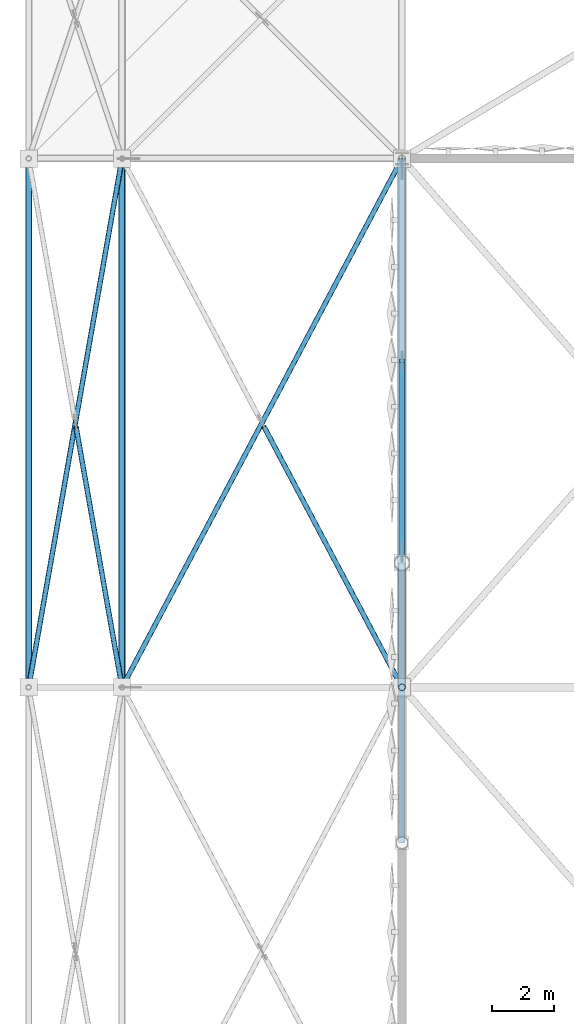
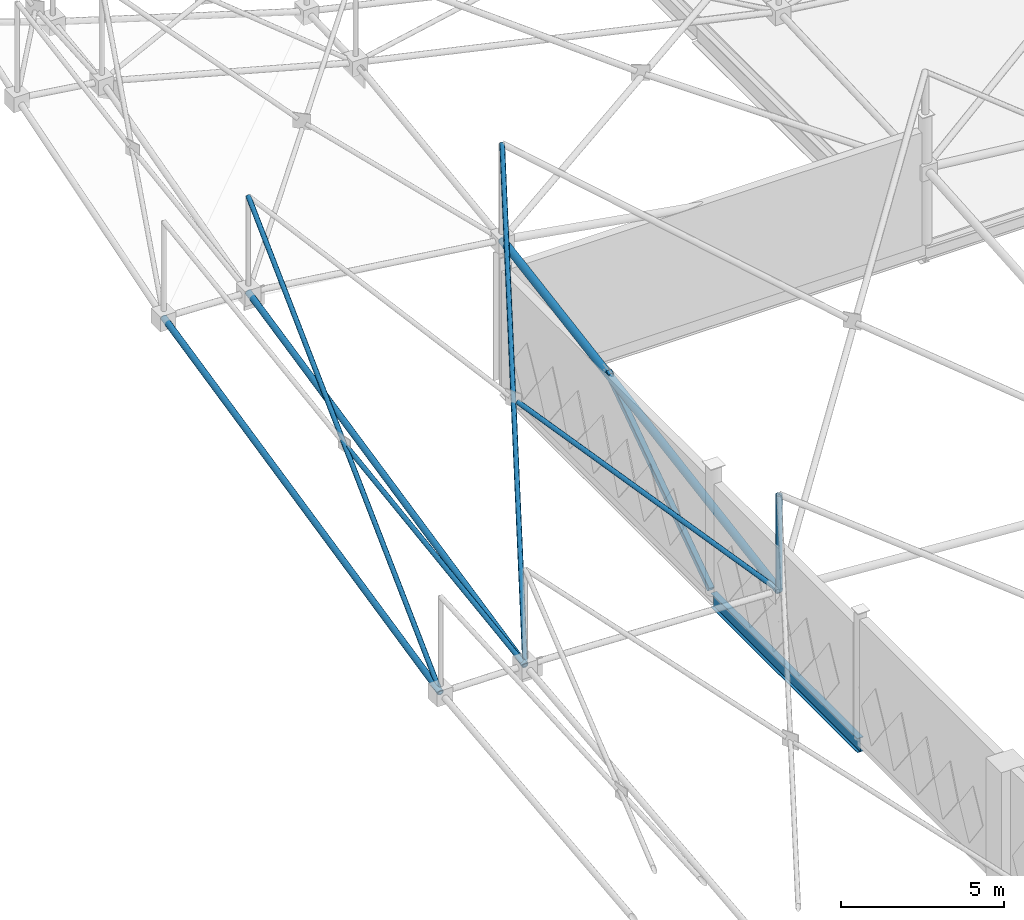
# One storey, part 72 of 224: 9 members, 1 beam.
"""IFC4 building model written with IfcOpenShell, lengths in metres."""

from ifc_helpers import new_model, si_unit, direction, frame, origin, origin_2d, place, context, subcontext, project, spatial, hollow_rectangle, hollow_circle, i_section, extrude, material, material_profile, profile_set, type_object, element, save


model = new_model("IFC4")

# Units and contexts
model_context = context("Model", 3, precision=1e-05, world=origin(), true_north=direction((0.0, 1.0)))
body_context = subcontext(model_context, "Body", "Model", "MODEL_VIEW")
ifc_project = project(units=[si_unit("LENGTHUNIT", "METRE"), si_unit("AREAUNIT", "SQUARE_METRE"), si_unit("VOLUMEUNIT", "CUBIC_METRE"), si_unit("PLANEANGLEUNIT", "RADIAN"), si_unit("MASSUNIT", "GRAM", prefix="KILO")], contexts=[model_context])

# Site, building, storey
site_placement = place(None, origin())
site = spatial("IfcSite", under=ifc_project, at=site_placement, CompositionType="ELEMENT")
building_placement = place(site_placement, origin())
building = spatial("IfcBuilding", under=site, at=building_placement, Name="Qamarlyn Nura Convention Centre", CompositionType="ELEMENT")
storey_placement = place(building_placement, frame((0.0, 0.0, 10.800048828125)))
storey = spatial("IfcBuildingStorey", under=building, at=storey_placement, Name="L02", CompositionType="ELEMENT", Elevation=10.800048828125)

# Beam
ifc_material_1 = material(Name="Steel ASTM A992", Category="steel")
ifc_material_profile_1 = material_profile(ifc_material_1, i_section(OverallWidth=0.2109375, OverallDepth=0.5390625, WebThickness=0.01171875, FlangeThickness=0.018798828125, FilletRadius=0.013916015625, at=origin_2d()), Name="W530X109")
ifc_profile_set_1 = profile_set([ifc_material_profile_1], Name="Steel ASTM A992")
beam_type = type_object("IfcBeamType", Name="BM-SPAN-530", PredefinedType="SPANDREL", material=ifc_profile_set_1)
beam_placement = place(storey_placement, frame((0.0, 81.0, -0.26953125), z_axis=(0.0, 1.0, 0.0), x_axis=(-1.0, 0.0, 0.0)))
element("IfcBeam", 1, at=beam_placement, inside=storey, type_object=beam_type, Name="L02 girder 1 K-L", PredefinedType="SPANDREL", context=body_context, shape_type="SweptSolid", body=[
    extrude(i_section(OverallWidth=0.2109375, OverallDepth=0.5390625, WebThickness=0.01171875, FlangeThickness=0.018798828125, FilletRadius=0.013916015625, at=origin_2d()), origin(), (0.0, 0.0, 1.0), 9.0),
])

# Members
ifc_material_2 = material(Name="Steel ASTM A500 Grade C", Category="steel")
ifc_material_profile_2 = material_profile(ifc_material_2, hollow_rectangle(XDim=0.199951171875, YDim=0.199951171875, WallThickness=0.010009765625, InnerFilletRadius=0.010009765625, OuterFilletRadius=0.02001953125, at=origin_2d()), Name="HSS200X200X10")
ifc_profile_set_2 = profile_set([ifc_material_profile_2], Name="Steel ASTM A500 Grade C")
member_type_1 = type_object("IfcMemberType", Name="CBF-BRC-200", PredefinedType="BRACE", material=ifc_profile_set_2)
member_1_placement = place(storey_placement, frame((0.0, 90.179931640625, 0.0), z_axis=(0.0, 0.82471526629, 0.565548167311), x_axis=(-1.0, 0.0, 0.0)))
element("IfcMember", 2, at=member_1_placement, inside=storey, type_object=member_type_1, Name="L02 SCBF chevron brace CBF-W2L", PredefinedType="BRACE", context=body_context, shape_type="SweptSolid", body=[
    extrude(hollow_rectangle(XDim=0.199951171875, YDim=0.199951171875, WallThickness=0.010009765625, InnerFilletRadius=0.010009765625, OuterFilletRadius=0.02001953125, at=origin_2d()), origin(), (0.0, 0.0, 1.0), 7.663330078125),
])
ifc_material_3 = material(Name="Pearl-white PVDF steel ASTM A500 Grade C", Category="steel")
ifc_material_profile_3 = material_profile(ifc_material_3, hollow_circle(Radius=0.109619140625, WallThickness=0.010009765625, at=origin_2d()), Name="CHS219.1X10")
ifc_profile_set_3 = profile_set([ifc_material_profile_3], Name="Pearl-white PVDF steel ASTM A500 Grade C")
member_type_2 = type_object("IfcMemberType", Name="SF-BC-EAVE", PredefinedType="CHORD", material=ifc_profile_set_3)
member_2_placement = place(storey_placement, frame((-12.0, 86.0, 2.857666015625), z_axis=(0.0, 0.976526723381, 0.21539628252), x_axis=(-1.0, 0.0, 0.0)))
element("IfcMember", 3, at=member_2_placement, inside=storey, type_object=member_type_2, Name="ROOF TRUSS space frame bottom chord Y0-6", PredefinedType="CHORD", context=body_context, shape_type="SweptSolid", body=[
    extrude(hollow_circle(Radius=0.109619140625, WallThickness=0.010009765625, at=origin_2d()), origin(), (0.0, 0.0, 1.0), 17.40869140625),
])
member_3_placement = place(storey_placement, frame((-9.0, 86.0, 2.83203125), z_axis=(0.0, 0.977439000532, 0.211217897533), x_axis=(-1.0, 0.0, 0.0)))
element("IfcMember", 4, at=member_3_placement, inside=storey, type_object=member_type_2, Name="ROOF TRUSS space frame bottom chord Y1-6", PredefinedType="CHORD", context=body_context, shape_type="SweptSolid", body=[
    extrude(hollow_circle(Radius=0.109619140625, WallThickness=0.010009765625, at=origin_2d()), origin(), (0.0, 0.0, 1.0), 17.392333984375),
])
ifc_material_profile_4 = material_profile(ifc_material_3, hollow_circle(Radius=0.136474609375, WallThickness=0.012451171875, at=origin_2d()), Name="CHS273X12.5")
ifc_profile_set_4 = profile_set([ifc_material_profile_4], Name="Pearl-white PVDF steel ASTM A500 Grade C")
member_type_3 = type_object("IfcMemberType", Name="SF-BC-MAIN", PredefinedType="CHORD", material=ifc_profile_set_4)
member_4_placement = place(storey_placement, frame((0.0, 86.0, 2.483642578125), z_axis=(0.0, 0.986419946618, 0.164242774315), x_axis=(-1.0, 0.0, 0.0)))
element("IfcMember", 5, at=member_4_placement, inside=storey, type_object=member_type_3, Name="ROOF TRUSS space frame bottom chord Y2-6", PredefinedType="CHORD", context=body_context, shape_type="SweptSolid", body=[
    extrude(hollow_circle(Radius=0.136474609375, WallThickness=0.012451171875, at=origin_2d()), origin(), (0.0, 0.0, 1.0), 17.234130859375),
])
ifc_material_profile_5 = material_profile(ifc_material_3, hollow_circle(Radius=0.109619140625, WallThickness=0.010009765625, at=origin_2d()), Name="CHS219.1X10")
ifc_profile_set_5 = profile_set([ifc_material_profile_5], Name="Pearl-white PVDF steel ASTM A500 Grade C")
member_type_4 = type_object("IfcMemberType", Name="SF-WEB-HVY", PredefinedType="BRACE", material=ifc_profile_set_5)
member_5_placement = place(storey_placement, frame((0.0, 86.0, 2.483642578125), z_axis=(0.0, 0.0, 1.0), x_axis=(1.0, 0.0, 0.0)))
element("IfcMember", 6, at=member_5_placement, inside=storey, type_object=member_type_4, Name="ROOF TRUSS space frame vertical 2-6", PredefinedType="BRACE", context=body_context, shape_type="SweptSolid", body=[
    extrude(hollow_circle(Radius=0.109619140625, WallThickness=0.010009765625, at=origin_2d()), origin(), (0.0, 0.0, 1.0), 3.60009765625),
])
ifc_material_profile_6 = material_profile(ifc_material_3, hollow_circle(Radius=0.084228515625, WallThickness=0.008056640625, at=origin_2d()), Name="CHS168.3X8")
ifc_profile_set_6 = profile_set([ifc_material_profile_6], Name="Pearl-white PVDF steel ASTM A500 Grade C")
member_type_5 = type_object("IfcMemberType", Name="SF-WEB-STD", PredefinedType="BRACE", material=ifc_profile_set_6)
member_6_placement = place(storey_placement, frame((-12.0, 86.0, 2.857666015625), z_axis=(0.16023451372, 0.907995577747, 0.387129088812), x_axis=(-0.984783558818, 0.173785333909, 0.0)))
element("IfcMember", 7, at=member_6_placement, inside=storey, type_object=member_type_5, Name="ROOF TRUSS space frame diagonal A 0-6", PredefinedType="BRACE", context=body_context, shape_type="SweptSolid", body=[
    extrude(hollow_circle(Radius=0.084228515625, WallThickness=0.008056640625, at=origin_2d()), origin(), (0.0, 0.0, 1.0), 18.72265625),
])
member_7_placement = place(storey_placement, frame((-9.0, 86.0, 2.83203125), z_axis=(-0.159930157605, 0.906332553764, 0.391131239708), x_axis=(-0.984785582183, -0.173773867784, 0.0)))
element("IfcMember", 8, at=member_7_placement, inside=storey, type_object=member_type_5, Name="ROOF TRUSS space frame split diagonal B1 0-6", PredefinedType="BRACE", context=body_context, shape_type="SweptSolid", body=[
    extrude(hollow_circle(Radius=0.084228515625, WallThickness=0.008056640625, at=origin_2d()), origin(), (0.0, 0.0, 1.0), 9.23876953125),
])
member_8_placement = place(storey_placement, frame((-9.0, 86.0, 2.83203125), z_axis=(0.446118312859, 0.842667924289, 0.301478391112), x_axis=(-0.883787916347, 0.467887720419, 0.0)))
element("IfcMember", 9, at=member_8_placement, inside=storey, type_object=member_type_5, Name="ROOF TRUSS space frame diagonal A 1-6", PredefinedType="BRACE", context=body_context, shape_type="SweptSolid", body=[
    extrude(hollow_circle(Radius=0.084228515625, WallThickness=0.008056640625, at=origin_2d()), origin(), (0.0, 0.0, 1.0), 20.174072265625),
])
member_9_placement = place(storey_placement, frame((0.0, 86.0, 2.483642578125), z_axis=(-0.438240543715, 0.827771625909, 0.350341777674), x_axis=(-0.883784160758, -0.46789481424, 0.0)))
element("IfcMember", 10, at=member_9_placement, inside=storey, type_object=member_type_5, Name="ROOF TRUSS space frame split diagonal B1 1-6", PredefinedType="BRACE", context=body_context, shape_type="SweptSolid", body=[
    extrude(hollow_circle(Radius=0.084228515625, WallThickness=0.008056640625, at=origin_2d()), origin(), (0.0, 0.0, 1.0), 10.129638671875),
])

save(model, "model.ifc")
